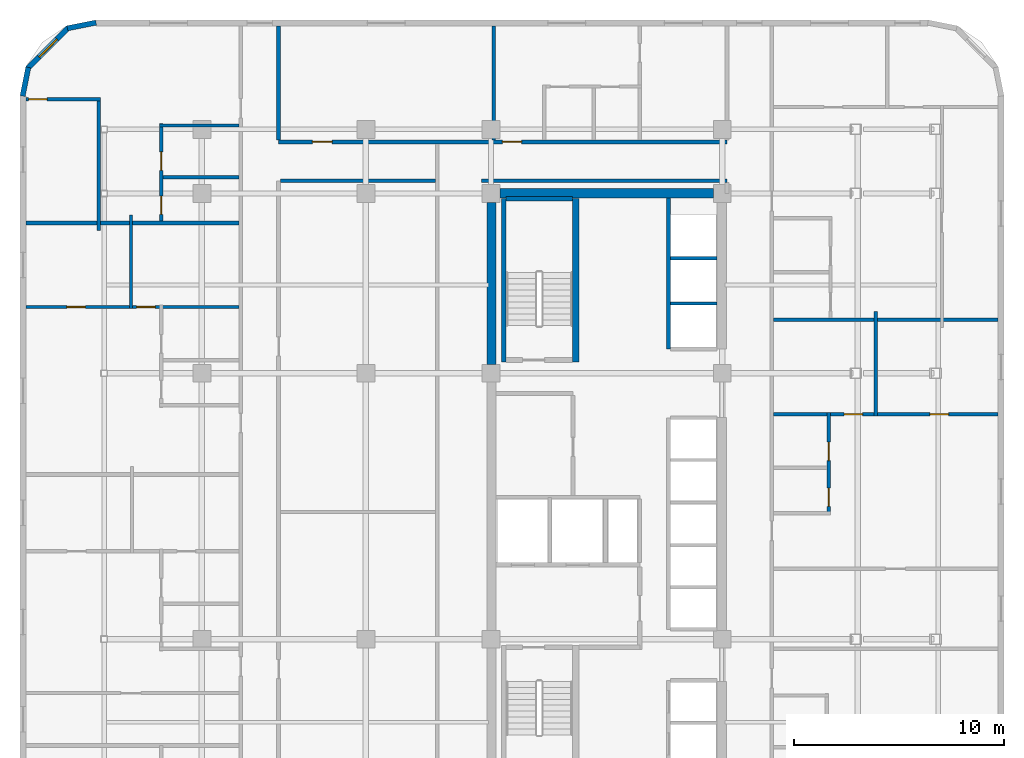
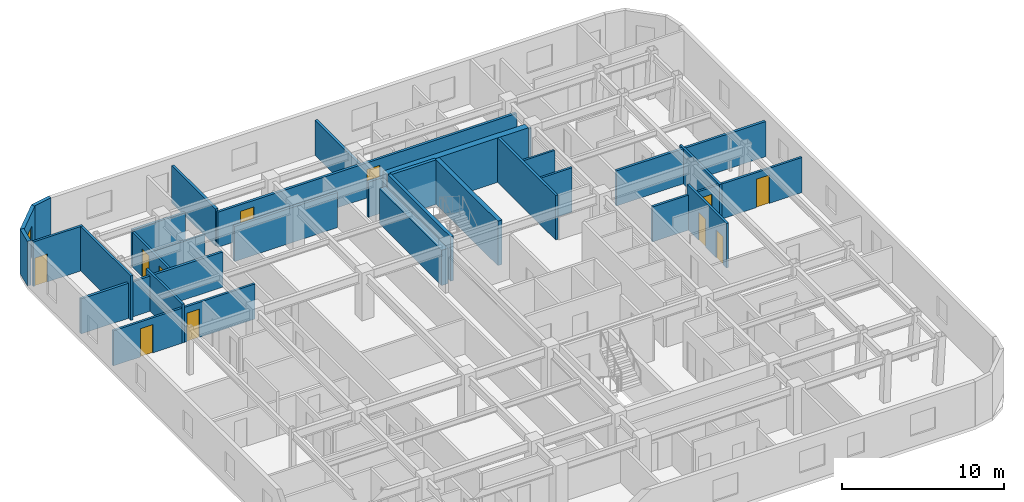
# One storey, part 9 of 12: 28 walls, 11 doors, 1 window, 12 openings.
"""IFC4 building model written with IfcOpenShell, lengths in metres."""

from ifc_helpers import new_model, si_unit, direction, frame, frame_2d, origin, place, context, subcontext, project, spatial, rectangle, extrude, material, layer, layer_set, type_object, element, fill, save


model = new_model("IFC4")

# Units and contexts
model_context = context("Model", 3, precision=1e-05, world=origin(), true_north=direction((0.0, 1.0)))
body_context = subcontext(model_context, "Body", "Model", "MODEL_VIEW")
ifc_project = project(units=[si_unit("LENGTHUNIT", "METRE"), si_unit("AREAUNIT", "SQUARE_METRE"), si_unit("VOLUMEUNIT", "CUBIC_METRE"), si_unit("PLANEANGLEUNIT", "RADIAN"), si_unit("MASSUNIT", "GRAM", prefix="KILO")], contexts=[model_context])

# Site, building, storey
site_placement = place(None, origin())
site = spatial("IfcSite", under=ifc_project, at=site_placement, CompositionType="ELEMENT")
building_placement = place(site_placement, origin())
building = spatial("IfcBuilding", under=site, at=building_placement, Name="Ochreholt Gables", CompositionType="ELEMENT")
storey_placement = place(building_placement, frame((0.0, 0.0, 45.60009765625)))
storey = spatial("IfcBuildingStorey", under=building, at=storey_placement, Name="L11", CompositionType="ELEMENT", Elevation=45.60009765625)

# Walls
ifc_material_1 = material(Name="Concrete 60 MPa", Category="concrete")
ifc_layer_1 = layer(ifc_material_1, 0.449951171875, Name="Concrete 60 MPa")
ifc_layer_set_1 = layer_set([ifc_layer_1], Name="Concrete 60 MPa")
wall_type_1 = type_object("IfcWallType", Name="WALL-CSW-450", PredefinedType="SHEAR", material=ifc_layer_set_1)
wall_1_placement = place(storey_placement, frame((24.22509765625, 30.625, 0.0), z_axis=(0.0, 0.0, 1.0), x_axis=(0.0, 1.0, 0.0)))
element("IfcWall", 1, at=wall_1_placement, inside=storey, type_object=wall_type_1, Name="L11 Core West Shear Wall WN", PredefinedType="SHEAR", context=body_context, shape_type="SweptSolid", body=[
    extrude(rectangle(XDim=7.699951171875, YDim=0.449951171875, at=frame_2d((3.85009765625, 0.0))), origin(), (0.0, 0.0, 1.0), 2.6669921875),
])
wall_2_placement = place(storey_placement, frame((24.625, 38.75, 0.0), z_axis=(0.0, 0.0, 1.0), x_axis=(1.0, 0.0, 0.0)))
element("IfcWall", 2, at=wall_2_placement, inside=storey, type_object=wall_type_1, Name="L11 Core North Shear Wall", PredefinedType="SHEAR", context=body_context, shape_type="SweptSolid", body=[
    extrude(rectangle(XDim=10.14990234375, YDim=0.449951171875, at=frame_2d((5.074951171875, 0.0))), origin(), (0.0, 0.0, 1.0), 3.35986328125),
])
ifc_material_2 = material(Name="Precast concrete 40 MPa", Category="concrete")
ifc_layer_2 = layer(ifc_material_2, 0.25, Name="Precast concrete 40 MPa")
ifc_layer_set_2 = layer_set([ifc_layer_2], Name="Precast concrete 40 MPa")
wall_type_2 = type_object("IfcWallType", Name="WALL-EXT-CNR", PredefinedType="SOLIDWALL", material=ifc_layer_set_2)
wall_3_placement = place(storey_placement, frame((5.41650390625, 46.875732421875, 0.0), z_axis=(0.0, 0.0, 1.0), x_axis=(-0.980809899341, -0.19496651342, 0.0)))
element("IfcWall", 3, at=wall_3_placement, inside=storey, type_object=wall_type_2, Name="L11 Rounded Corner Wall NW-1", PredefinedType="SOLIDWALL", context=body_context, shape_type="SweptSolid", body=[
    extrude(rectangle(XDim=1.388671875, YDim=0.25, at=frame_2d((0.6943359375, 0.0))), origin(), (0.0, 0.0, 1.0), 3.35986328125),
])

# Wall, opening, window
wall_4_placement = place(storey_placement, frame((4.10498046875, 46.632080078125, 0.0), z_axis=(0.0, 0.0, 1.0), x_axis=(-0.707106781187, -0.707106781187, 0.0)))
wall_4 = element("IfcWall", 4, at=wall_4_placement, inside=storey, type_object=wall_type_2, Name="L11 Rounded Corner Wall NW-2", PredefinedType="SOLIDWALL", context=body_context, shape_type="SweptSolid", body=[
    extrude(rectangle(XDim=2.7392578125, YDim=0.25, at=frame_2d((1.36962890625, 0.0))), origin(), (0.0, 0.0, 1.0), 3.35986328125),
])
opening_1_placement = place(wall_4_placement, frame((0.769775390625, 0.0, 0.85009765625)))
opening_1 = element("IfcOpeningElement", 5, at=opening_1_placement, cuts=wall_4, Name="Opening WN-3", PredefinedType="OPENING", context=body_context, shape_type="SweptSolid", body=[
    extrude(rectangle(XDim=1.199951171875, YDim=1.5, at=frame_2d((0.60009765625, 0.75))), frame((0.0, 0.135009765625, 0.0), z_axis=(0.0, -1.0, 0.0), x_axis=(1.0, 0.0, 0.0)), (0.0, 0.0, 1.0), 0.27001953125),
])
ifc_material_3 = material(Name="Triple-Glazed Thermally Broken Aluminium Window", Category="aluminium")
window_type = type_object("IfcWindowType", Name="WIN-RES-1200", PartitioningType="SINGLE_PANEL", PredefinedType="WINDOW", material=ifc_material_3)
window_placement = place(opening_1_placement, origin())
window = element("IfcWindow", 6, at=window_placement, inside=storey, type_object=window_type, Name="L11 Corner Bedroom Window NW", OverallHeight=1.5, OverallWidth=1.199951171875, PartitioningType="SINGLE_PANEL", PredefinedType="WINDOW", context=body_context, shape_type="SweptSolid", body=[
    extrude(rectangle(XDim=1.199951171875, YDim=1.5, at=frame_2d((0.60009765625, 0.75))), frame((0.0, 0.030029296875, 0.0), z_axis=(0.0, -1.0, 0.0), x_axis=(1.0, 0.0, 0.0)), (0.0, 0.0, 1.0), 0.06005859375),
])
fill(opening_1, window)

# Wall
wall_5_placement = place(storey_placement, frame((2.195068359375, 44.74560546875, 0.0), z_axis=(0.0, 0.0, 1.0), x_axis=(-0.19496651342, -0.980809899341, 0.0)))
element("IfcWall", 7, at=wall_5_placement, inside=storey, type_object=wall_type_2, Name="L11 Rounded Corner Wall NW-3", PredefinedType="SOLIDWALL", context=body_context, shape_type="SweptSolid", body=[
    extrude(rectangle(XDim=1.388671875, YDim=0.25, at=frame_2d((0.6943359375, 0.0))), origin(), (0.0, 0.0, 1.0), 3.35986328125),
])

# Wall, openings, doors
ifc_material_4 = material(Name="Fire-Rated Gypsum Acoustic Partition", Category="gypsum")
ifc_layer_3 = layer(ifc_material_4, 0.179931640625, Name="Fire-Rated Gypsum Acoustic Partition")
ifc_layer_set_3 = layer_set([ifc_layer_3], Name="Fire-Rated Gypsum Acoustic Partition")
wall_type_3 = type_object("IfcWallType", Name="WALL-INT-CR180", PredefinedType="STANDARD", material=ifc_layer_set_3)
wall_6_placement = place(storey_placement, frame((14.10009765625, 41.199951171875, 0.0), z_axis=(0.0, 0.0, 1.0), x_axis=(1.0, 0.0, 0.0)))
wall_6 = element("IfcWall", 8, at=wall_6_placement, inside=storey, type_object=wall_type_3, Name="L11 Interior Wall WI-C1N-L11", PredefinedType="STANDARD", context=body_context, shape_type="SweptSolid", body=[
    extrude(rectangle(XDim=21.31982421875, YDim=0.179931640625, at=frame_2d((10.659912109375, 0.0))), origin(), (0.0, 0.0, 1.0), 2.64892578125),
])
opening_2_placement = place(wall_6_placement, frame((1.60009765625, 0.0, 0.0)))
opening_2 = element("IfcOpeningElement", 9, at=opening_2_placement, cuts=wall_6, Name="Opening D-GN1", PredefinedType="OPENING", context=body_context, shape_type="SweptSolid", body=[
    extrude(rectangle(XDim=0.949951171875, YDim=2.14990234375, at=frame_2d((0.47509765625, 1.074951171875))), frame((0.0, 0.099853515625, 0.0), z_axis=(0.0, -1.0, 0.0), x_axis=(1.0, 0.0, 0.0)), (0.0, 0.0, 1.0), 0.199951171875),
])
opening_3_placement = place(wall_6_placement, frame((10.6435546875, 0.0, 0.0)))
opening_3 = element("IfcOpeningElement", 10, at=opening_3_placement, cuts=wall_6, Name="Opening D-UN1", PredefinedType="OPENING", context=body_context, shape_type="SweptSolid", body=[
    extrude(rectangle(XDim=0.919921875, YDim=2.14990234375, at=frame_2d((0.4599609375, 1.074951171875))), frame((0.0, 0.099853515625, 0.0), z_axis=(0.0, -1.0, 0.0), x_axis=(1.0, 0.0, 0.0)), (0.0, 0.0, 1.0), 0.199951171875),
])
ifc_material_5 = material(Name="Engineered Oak Timber", Category="wood")
door_type_1 = type_object("IfcDoorType", Name="DR-INT-GEN950", OperationType="NOTDEFINED", PredefinedType="DOOR", material=ifc_material_5)
door_1_placement = place(opening_2_placement, origin())
door_1 = element("IfcDoor", 11, at=door_1_placement, inside=storey, type_object=door_type_1, Name="L11 Door D-C1NL-L11", OperationType="SINGLE_SWING_RIGHT", OverallHeight=2.14990234375, OverallWidth=0.949951171875, PredefinedType="DOOR", context=body_context, shape_type="SweptSolid", body=[
    extrude(rectangle(XDim=0.949951171875, YDim=2.14990234375, at=frame_2d((0.47509765625, 1.074951171875))), frame((0.0, 0.02490234375, 0.0), z_axis=(0.0, -1.0, 0.0), x_axis=(1.0, 0.0, 0.0)), (0.0, 0.0, 1.0), 0.050048828125),
])
fill(opening_2, door_1)
door_type_2 = type_object("IfcDoorType", Name="DR-INT-UNT920", OperationType="NOTDEFINED", PredefinedType="DOOR", material=ifc_material_5)
door_2_placement = place(opening_3_placement, origin())
door_2 = element("IfcDoor", 12, at=door_2_placement, inside=storey, type_object=door_type_2, Name="L11 Door D-U-L11N1-ENT", OperationType="SINGLE_SWING_RIGHT", OverallHeight=2.14990234375, OverallWidth=0.919921875, PredefinedType="DOOR", context=body_context, shape_type="SweptSolid", body=[
    extrude(rectangle(XDim=0.919921875, YDim=2.14990234375, at=frame_2d((0.4599609375, 1.074951171875))), frame((0.0, 0.02490234375, 0.0), z_axis=(0.0, -1.0, 0.0), x_axis=(1.0, 0.0, 0.0)), (0.0, 0.0, 1.0), 0.050048828125),
])
fill(opening_3, door_2)

# Walls
wall_7_placement = place(storey_placement, frame((23.75, 39.35009765625, 0.0), z_axis=(0.0, 0.0, 1.0), x_axis=(1.0, 0.0, 0.0)))
element("IfcWall", 13, at=wall_7_placement, inside=storey, type_object=wall_type_3, Name="L11 Interior Wall WI-C1N2-L11", PredefinedType="STANDARD", context=body_context, shape_type="SweptSolid", body=[
    extrude(rectangle(XDim=11.669921875, YDim=0.179931640625, at=frame_2d((5.8349609375, 0.0))), origin(), (0.0, 0.0, 1.0), 2.64892578125),
])
wall_8_placement = place(storey_placement, frame((14.18994140625, 39.35009765625, 0.0), z_axis=(0.0, 0.0, 1.0), x_axis=(1.0, 0.0, 0.0)))
element("IfcWall", 14, at=wall_8_placement, inside=storey, type_object=wall_type_3, Name="L11 Interior Wall WI-C1N2W-L11", PredefinedType="STANDARD", context=body_context, shape_type="SweptSolid", body=[
    extrude(rectangle(XDim=7.3701171875, YDim=0.179931640625, at=frame_2d((3.68505859375, 0.0))), origin(), (0.0, 0.0, 1.0), 2.64892578125),
])
ifc_material_6 = material(Name="Double-Stud Acoustic Demising Wall", Category="gypsum")
ifc_layer_4 = layer(ifc_material_6, 0.179931640625, Name="Double-Stud Acoustic Demising Wall")
ifc_layer_set_4 = layer_set([ifc_layer_4], Name="Double-Stud Acoustic Demising Wall")
wall_type_4 = type_object("IfcWallType", Name="WALL-INT-DM180", PredefinedType="PARTITIONING", material=ifc_layer_set_4)
wall_9_placement = place(storey_placement, frame((14.10009765625, 41.2900390625, 0.0), z_axis=(0.0, 0.0, 1.0), x_axis=(0.0, 1.0, 0.0)))
element("IfcWall", 15, at=wall_9_placement, inside=storey, type_object=wall_type_4, Name="L11 Interior Wall WI-C1WNI-L11", PredefinedType="PARTITIONING", context=body_context, shape_type="SweptSolid", body=[
    extrude(rectangle(XDim=5.419921875, YDim=0.179931640625, at=frame_2d((2.7099609375, 0.0))), origin(), (0.0, 0.0, 1.0), 2.808837890625),
])
wall_10_placement = place(storey_placement, frame((37.639892578125, 32.739990234375, 0.0), z_axis=(0.0, 0.0, 1.0), x_axis=(1.0, 0.0, 0.0)))
element("IfcWall", 16, at=wall_10_placement, inside=storey, type_object=wall_type_4, Name="L11 Interior Wall WI-UDE3-L11", PredefinedType="PARTITIONING", context=body_context, shape_type="SweptSolid", body=[
    extrude(rectangle(XDim=10.670166015625, YDim=0.179931640625, at=frame_2d((5.3349609375, 0.0))), origin(), (0.0, 0.0, 1.0), 2.64892578125),
])
wall_11_placement = place(storey_placement, frame((2.090087890625, 37.340087890625, 0.0), z_axis=(0.0, 0.0, 1.0), x_axis=(1.0, 0.0, 0.0)))
element("IfcWall", 17, at=wall_11_placement, inside=storey, type_object=wall_type_4, Name="L11 Interior Wall WI-UDW4-L11", PredefinedType="PARTITIONING", context=body_context, shape_type="SweptSolid", body=[
    extrude(rectangle(XDim=10.119873046875, YDim=0.179931640625, at=frame_2d((5.06005859375, 0.0))), origin(), (0.0, 0.0, 1.0), 2.64892578125),
])
wall_12_placement = place(storey_placement, frame((24.33349609375, 41.2900390625, 0.0), z_axis=(0.0, 0.0, 1.0), x_axis=(0.0, 1.0, 0.0)))
element("IfcWall", 18, at=wall_12_placement, inside=storey, type_object=wall_type_4, Name="L11 Interior Wall WI-UDN1-L11", PredefinedType="PARTITIONING", context=body_context, shape_type="SweptSolid", body=[
    extrude(rectangle(XDim=5.419921875, YDim=0.179931640625, at=frame_2d((2.7099609375, 0.0))), origin(), (0.0, 0.0, 1.0), 2.64892578125),
])

# Wall, openings, doors
ifc_material_7 = material(Name="Moisture-Resistant Plumbing Chase Wall", Category="gypsum")
ifc_layer_5 = layer(ifc_material_7, 0.159912109375, Name="Moisture-Resistant Plumbing Chase Wall")
ifc_layer_set_5 = layer_set([ifc_layer_5], Name="Moisture-Resistant Plumbing Chase Wall")
wall_type_5 = type_object("IfcWallType", Name="WALL-INT-PL160", PredefinedType="PLUMBINGWALL", material=ifc_layer_set_5)
wall_13_placement = place(storey_placement, frame((40.27197265625, 23.452880859375, 0.0), z_axis=(0.0, 0.0, 1.0), x_axis=(0.0, 1.0, 0.0)))
wall_13 = element("IfcWall", 19, at=wall_13_placement, inside=storey, type_object=wall_type_5, Name="L11 Interior Wall WU-L11E2-WX", PredefinedType="PLUMBINGWALL", context=body_context, shape_type="SweptSolid", body=[
    extrude(rectangle(XDim=4.88720703125, YDim=0.159912109375, at=frame_2d((2.443603515625, 0.0))), origin(), (0.0, 0.0, 1.0), 3.35986328125),
])
opening_4_placement = place(wall_13_placement, frame((0.419921875, 0.0, 0.0)))
opening_4 = element("IfcOpeningElement", 20, at=opening_4_placement, cuts=wall_13, Name="Opening D-BT1", PredefinedType="OPENING", context=body_context, shape_type="SweptSolid", body=[
    extrude(rectangle(XDim=0.860107421875, YDim=2.1201171875, at=frame_2d((0.43017578125, 1.06005859375))), frame((0.0, 0.08984375, 0.0), z_axis=(0.0, -1.0, 0.0), x_axis=(1.0, 0.0, 0.0)), (0.0, 0.0, 1.0), 0.179931640625),
])
opening_5_placement = place(wall_13_placement, frame((2.585205078125, 0.0, 0.0)))
opening_5 = element("IfcOpeningElement", 21, at=opening_5_placement, cuts=wall_13, Name="Opening D-GN2", PredefinedType="OPENING", context=body_context, shape_type="SweptSolid", body=[
    extrude(rectangle(XDim=0.8798828125, YDim=2.1201171875, at=frame_2d((0.43994140625, 1.06005859375))), frame((0.0, 0.08984375, 0.0), z_axis=(0.0, -1.0, 0.0), x_axis=(1.0, 0.0, 0.0)), (0.0, 0.0, 1.0), 0.179931640625),
])
door_type_3 = type_object("IfcDoorType", Name="DR-INT-BTH860", OperationType="NOTDEFINED", PredefinedType="DOOR", material=ifc_material_5)
door_3_placement = place(opening_4_placement, origin())
door_3 = element("IfcDoor", 22, at=door_3_placement, inside=storey, type_object=door_type_3, Name="L11 Door D-U-L11E2-BTH", OperationType="SINGLE_SWING_RIGHT", OverallHeight=2.1201171875, OverallWidth=0.860107421875, PredefinedType="DOOR", context=body_context, shape_type="SweptSolid", body=[
    extrude(rectangle(XDim=0.860107421875, YDim=2.1201171875, at=frame_2d((0.43017578125, 1.06005859375))), frame((0.0, 0.02490234375, 0.0), z_axis=(0.0, -1.0, 0.0), x_axis=(1.0, 0.0, 0.0)), (0.0, 0.0, 1.0), 0.050048828125),
])
fill(opening_4, door_3)
door_type_4 = type_object("IfcDoorType", Name="DR-INT-GEN880", OperationType="NOTDEFINED", PredefinedType="DOOR", material=ifc_material_5)
door_4_placement = place(opening_5_placement, origin())
door_4 = element("IfcDoor", 23, at=door_4_placement, inside=storey, type_object=door_type_4, Name="L11 Door D-U-L11E2-KIT", OperationType="SINGLE_SWING_LEFT", OverallHeight=2.1201171875, OverallWidth=0.8798828125, PredefinedType="DOOR", context=body_context, shape_type="SweptSolid", body=[
    extrude(rectangle(XDim=0.8798828125, YDim=2.1201171875, at=frame_2d((0.43994140625, 1.06005859375))), frame((0.0, 0.02490234375, 0.0), z_axis=(0.0, -1.0, 0.0), x_axis=(1.0, 0.0, 0.0)), (0.0, 0.0, 1.0), 0.050048828125),
])
fill(opening_5, door_4)

# Wall
wall_14_placement = place(storey_placement, frame((8.429931640625, 41.97998046875, 0.0), z_axis=(0.0, 0.0, 1.0), x_axis=(1.0, 0.0, 0.0)))
element("IfcWall", 24, at=wall_14_placement, inside=storey, type_object=wall_type_5, Name="L11 Interior Wall WU-L11W4-WYN", PredefinedType="PLUMBINGWALL", context=body_context, shape_type="SweptSolid", body=[
    extrude(rectangle(XDim=3.780029296875, YDim=0.159912109375, at=frame_2d((1.89013671875, 0.0))), origin(), (0.0, 0.0, 1.0), 2.808837890625),
])

# Wall, openings, doors
wall_15_placement = place(storey_placement, frame((8.510009765625, 37.429931640625, 0.0), z_axis=(0.0, 0.0, 1.0), x_axis=(0.0, 1.0, 0.0)))
wall_15 = element("IfcWall", 25, at=wall_15_placement, inside=storey, type_object=wall_type_5, Name="L11 Interior Wall WU-L11W4-WX", PredefinedType="PLUMBINGWALL", context=body_context, shape_type="SweptSolid", body=[
    extrude(rectangle(XDim=4.64013671875, YDim=0.159912109375, at=frame_2d((2.320068359375, 0.0))), origin(), (0.0, 0.0, 1.0), 2.64892578125),
])
opening_6_placement = place(wall_15_placement, frame((0.330078125, 0.0, 0.0)))
opening_6 = element("IfcOpeningElement", 26, at=opening_6_placement, cuts=wall_15, Name="Opening D-BT1", PredefinedType="OPENING", context=body_context, shape_type="SweptSolid", body=[
    extrude(rectangle(XDim=0.860107421875, YDim=2.1201171875, at=frame_2d((0.43017578125, 1.06005859375))), frame((0.0, 0.08984375, 0.0), z_axis=(0.0, -1.0, 0.0), x_axis=(1.0, 0.0, 0.0)), (0.0, 0.0, 1.0), 0.179931640625),
])
opening_7_placement = place(wall_15_placement, frame((2.423095703125, 0.0, 0.0)))
opening_7 = element("IfcOpeningElement", 27, at=opening_7_placement, cuts=wall_15, Name="Opening D-GN2", PredefinedType="OPENING", context=body_context, shape_type="SweptSolid", body=[
    extrude(rectangle(XDim=0.8798828125, YDim=2.1201171875, at=frame_2d((0.43994140625, 1.06005859375))), frame((0.0, 0.08984375, 0.0), z_axis=(0.0, -1.0, 0.0), x_axis=(1.0, 0.0, 0.0)), (0.0, 0.0, 1.0), 0.179931640625),
])
door_5_placement = place(opening_6_placement, origin())
door_5 = element("IfcDoor", 28, at=door_5_placement, inside=storey, type_object=door_type_3, Name="L11 Door D-U-L11W4-BTH", OperationType="SINGLE_SWING_LEFT", OverallHeight=2.1201171875, OverallWidth=0.860107421875, PredefinedType="DOOR", context=body_context, shape_type="SweptSolid", body=[
    extrude(rectangle(XDim=0.860107421875, YDim=2.1201171875, at=frame_2d((0.43017578125, 1.06005859375))), frame((0.0, 0.02490234375, 0.0), z_axis=(0.0, -1.0, 0.0), x_axis=(1.0, 0.0, 0.0)), (0.0, 0.0, 1.0), 0.050048828125),
])
fill(opening_6, door_5)
door_6_placement = place(opening_7_placement, origin())
door_6 = element("IfcDoor", 29, at=door_6_placement, inside=storey, type_object=door_type_4, Name="L11 Door D-U-L11W4-KIT", OperationType="SINGLE_SWING_RIGHT", OverallHeight=2.1201171875, OverallWidth=0.8798828125, PredefinedType="DOOR", context=body_context, shape_type="SweptSolid", body=[
    extrude(rectangle(XDim=0.8798828125, YDim=2.1201171875, at=frame_2d((0.43994140625, 1.06005859375))), frame((0.0, 0.02490234375, 0.0), z_axis=(0.0, -1.0, 0.0), x_axis=(1.0, 0.0, 0.0)), (0.0, 0.0, 1.0), 0.050048828125),
])
fill(opening_7, door_6)

# Wall
wall_16_placement = place(storey_placement, frame((8.590087890625, 39.52294921875, 0.0), z_axis=(0.0, 0.0, 1.0), x_axis=(1.0, 0.0, 0.0)))
element("IfcWall", 30, at=wall_16_placement, inside=storey, type_object=wall_type_5, Name="L11 Interior Wall WU-L11W4-WM", PredefinedType="PLUMBINGWALL", context=body_context, shape_type="SweptSolid", body=[
    extrude(rectangle(XDim=3.619873046875, YDim=0.159912109375, at=frame_2d((1.81005859375, 0.0))), origin(), (0.0, 0.0, 1.0), 2.64892578125),
])

# Wall, openings, doors
ifc_material_8 = material(Name="Gypsum Acoustic Stud Partition", Category="gypsum")
ifc_layer_6 = layer(ifc_material_8, 0.159912109375, Name="Gypsum Acoustic Stud Partition")
ifc_layer_set_6 = layer_set([ifc_layer_6], Name="Gypsum Acoustic Stud Partition")
wall_type_6 = type_object("IfcWallType", Name="WALL-INT-PT160", PredefinedType="PARTITIONING", material=ifc_layer_set_6)
wall_17_placement = place(storey_placement, frame((37.639892578125, 28.25, 0.0), z_axis=(0.0, 0.0, 1.0), x_axis=(1.0, 0.0, 0.0)))
wall_17 = element("IfcWall", 31, at=wall_17_placement, inside=storey, type_object=wall_type_6, Name="L11 Interior Wall WU-L11E2-MN", PredefinedType="PARTITIONING", context=body_context, shape_type="SweptSolid", body=[
    extrude(rectangle(XDim=10.670166015625, YDim=0.159912109375, at=frame_2d((5.3349609375, 0.0))), origin(), (0.0, 0.0, 1.0), 2.64892578125),
])
opening_8_placement = place(wall_17_placement, frame((3.353271484375, 0.0, 0.0)))
opening_8 = element("IfcOpeningElement", 32, at=opening_8_placement, cuts=wall_17, Name="Opening D-GN2", PredefinedType="OPENING", context=body_context, shape_type="SweptSolid", body=[
    extrude(rectangle(XDim=0.8798828125, YDim=2.1201171875, at=frame_2d((0.43994140625, 1.06005859375))), frame((0.0, 0.08984375, 0.0), z_axis=(0.0, -1.0, 0.0), x_axis=(1.0, 0.0, 0.0)), (0.0, 0.0, 1.0), 0.179931640625),
])
opening_9_placement = place(wall_17_placement, frame((7.43212890625, 0.0, 0.0)))
opening_9 = element("IfcOpeningElement", 33, at=opening_9_placement, cuts=wall_17, Name="Opening D-BD1", PredefinedType="OPENING", context=body_context, shape_type="SweptSolid", body=[
    extrude(rectangle(XDim=0.89990234375, YDim=2.139892578125, at=frame_2d((0.449951171875, 1.06982421875))), frame((0.0, 0.08984375, 0.0), z_axis=(0.0, -1.0, 0.0), x_axis=(1.0, 0.0, 0.0)), (0.0, 0.0, 1.0), 0.179931640625),
])
door_type_5 = type_object("IfcDoorType", Name="DR-INT-BED900", OperationType="NOTDEFINED", PredefinedType="DOOR", material=ifc_material_5)
door_7_placement = place(opening_9_placement, origin())
door_7 = element("IfcDoor", 34, at=door_7_placement, inside=storey, type_object=door_type_5, Name="L11 Door D-U-L11E2-BD1", OperationType="SINGLE_SWING_RIGHT", OverallHeight=2.139892578125, OverallWidth=0.89990234375, PredefinedType="DOOR", context=body_context, shape_type="SweptSolid", body=[
    extrude(rectangle(XDim=0.89990234375, YDim=2.139892578125, at=frame_2d((0.449951171875, 1.06982421875))), frame((0.0, 0.02490234375, 0.0), z_axis=(0.0, -1.0, 0.0), x_axis=(1.0, 0.0, 0.0)), (0.0, 0.0, 1.0), 0.050048828125),
])
fill(opening_9, door_7)
door_8_placement = place(opening_8_placement, origin())
door_8 = element("IfcDoor", 35, at=door_8_placement, inside=storey, type_object=door_type_4, Name="L11 Door D-U-L11E2-STD", OperationType="SINGLE_SWING_LEFT", OverallHeight=2.1201171875, OverallWidth=0.8798828125, PredefinedType="DOOR", context=body_context, shape_type="SweptSolid", body=[
    extrude(rectangle(XDim=0.8798828125, YDim=2.1201171875, at=frame_2d((0.43994140625, 1.06005859375))), frame((0.0, 0.02490234375, 0.0), z_axis=(0.0, -1.0, 0.0), x_axis=(1.0, 0.0, 0.0)), (0.0, 0.0, 1.0), 0.050048828125),
])
fill(opening_8, door_8)

# Wall
wall_18_placement = place(storey_placement, frame((42.50439453125, 28.169921875, 0.0), z_axis=(0.0, 0.0, 1.0), x_axis=(0.0, 1.0, 0.0)))
element("IfcWall", 36, at=wall_18_placement, inside=storey, type_object=wall_type_6, Name="L11 Interior Wall WU-L11E2-BSD", PredefinedType="PARTITIONING", context=body_context, shape_type="SweptSolid", body=[
    extrude(rectangle(XDim=4.9599609375, YDim=0.159912109375, at=frame_2d((2.47998046875, 0.0))), origin(), (0.0, 0.0, 1.0), 2.64892578125),
])

# Wall, openings, doors
wall_19_placement = place(storey_placement, frame((2.090087890625, 33.35009765625, 0.0), z_axis=(0.0, 0.0, 1.0), x_axis=(1.0, 0.0, 0.0)))
wall_19 = element("IfcWall", 37, at=wall_19_placement, inside=storey, type_object=wall_type_6, Name="L11 Interior Wall WU-L11W3-MN", PredefinedType="PARTITIONING", context=body_context, shape_type="SweptSolid", body=[
    extrude(rectangle(XDim=10.119873046875, YDim=0.159912109375, at=frame_2d((5.06005859375, 0.0))), origin(), (0.0, 0.0, 1.0), 2.64892578125),
])
opening_10_placement = place(wall_19_placement, frame((1.93994140625, 0.0, 0.0)))
opening_10 = element("IfcOpeningElement", 38, at=opening_10_placement, cuts=wall_19, Name="Opening D-BD2", PredefinedType="OPENING", context=body_context, shape_type="SweptSolid", body=[
    extrude(rectangle(XDim=0.8798828125, YDim=2.139892578125, at=frame_2d((0.43994140625, 1.06982421875))), frame((0.0, 0.08984375, 0.0), z_axis=(0.0, -1.0, 0.0), x_axis=(1.0, 0.0, 0.0)), (0.0, 0.0, 1.0), 0.179931640625),
])
opening_11_placement = place(wall_19_placement, frame((5.260009765625, 0.0, 0.0)))
opening_11 = element("IfcOpeningElement", 39, at=opening_11_placement, cuts=wall_19, Name="Opening D-BD2", PredefinedType="OPENING", context=body_context, shape_type="SweptSolid", body=[
    extrude(rectangle(XDim=0.8798828125, YDim=2.139892578125, at=frame_2d((0.43994140625, 1.06982421875))), frame((0.0, 0.08984375, 0.0), z_axis=(0.0, -1.0, 0.0), x_axis=(1.0, 0.0, 0.0)), (0.0, 0.0, 1.0), 0.179931640625),
])
door_type_6 = type_object("IfcDoorType", Name="DR-INT-BED880", OperationType="NOTDEFINED", PredefinedType="DOOR", material=ifc_material_5)
door_9_placement = place(opening_10_placement, origin())
door_9 = element("IfcDoor", 40, at=door_9_placement, inside=storey, type_object=door_type_6, Name="L11 Door D-U-L11W3-BD1", OperationType="SINGLE_SWING_LEFT", OverallHeight=2.139892578125, OverallWidth=0.8798828125, PredefinedType="DOOR", context=body_context, shape_type="SweptSolid", body=[
    extrude(rectangle(XDim=0.8798828125, YDim=2.139892578125, at=frame_2d((0.43994140625, 1.06982421875))), frame((0.0, 0.02490234375, 0.0), z_axis=(0.0, -1.0, 0.0), x_axis=(1.0, 0.0, 0.0)), (0.0, 0.0, 1.0), 0.050048828125),
])
fill(opening_10, door_9)
door_10_placement = place(opening_11_placement, origin())
door_10 = element("IfcDoor", 41, at=door_10_placement, inside=storey, type_object=door_type_6, Name="L11 Door D-U-L11W3-BD2", OperationType="SINGLE_SWING_RIGHT", OverallHeight=2.139892578125, OverallWidth=0.8798828125, PredefinedType="DOOR", context=body_context, shape_type="SweptSolid", body=[
    extrude(rectangle(XDim=0.8798828125, YDim=2.139892578125, at=frame_2d((0.43994140625, 1.06982421875))), frame((0.0, 0.02490234375, 0.0), z_axis=(0.0, -1.0, 0.0), x_axis=(1.0, 0.0, 0.0)), (0.0, 0.0, 1.0), 0.050048828125),
])
fill(opening_11, door_10)

# Walls
wall_20_placement = place(storey_placement, frame((7.080078125, 33.27001953125, 0.0), z_axis=(0.0, 0.0, 1.0), x_axis=(0.0, 1.0, 0.0)))
element("IfcWall", 42, at=wall_20_placement, inside=storey, type_object=wall_type_6, Name="L11 Interior Wall WU-L11W3-BSD", PredefinedType="PARTITIONING", context=body_context, shape_type="SweptSolid", body=[
    extrude(rectangle(XDim=4.4599609375, YDim=0.159912109375, at=frame_2d((2.22998046875, 0.0))), origin(), (0.0, 0.0, 1.0), 2.931884765625),
])
wall_21_placement = place(storey_placement, frame((5.550048828125, 36.97998046875, 0.0), z_axis=(0.0, 0.0, 1.0), x_axis=(0.0, 1.0, 0.0)))
element("IfcWall", 43, at=wall_21_placement, inside=storey, type_object=wall_type_6, Name="L11 Interior Wall WU-L11W4-STW", PredefinedType="PARTITIONING", context=body_context, shape_type="SweptSolid", body=[
    extrude(rectangle(XDim=6.25, YDim=0.159912109375, at=frame_2d((3.125, 0.0))), origin(), (0.0, 0.0, 1.0), 3.35986328125),
])

# Wall, opening, door
wall_22_placement = place(storey_placement, frame((2.090087890625, 43.22998046875, 0.0), z_axis=(0.0, 0.0, 1.0), x_axis=(1.0, 0.0, 0.0)))
wall_22 = element("IfcWall", 44, at=wall_22_placement, inside=storey, type_object=wall_type_6, Name="L11 Interior Wall WU-L11W4-STN", PredefinedType="PARTITIONING", context=body_context, shape_type="SweptSolid", body=[
    extrude(rectangle(XDim=3.539794921875, YDim=0.159912109375, at=frame_2d((1.77001953125, 0.0))), origin(), (0.0, 0.0, 1.0), 3.35986328125),
])
opening_12_placement = place(wall_22_placement, frame((0.1201171875, 0.0, 0.0)))
opening_12 = element("IfcOpeningElement", 45, at=opening_12_placement, cuts=wall_22, Name="Opening D-GN2", PredefinedType="OPENING", context=body_context, shape_type="SweptSolid", body=[
    extrude(rectangle(XDim=0.8798828125, YDim=2.1201171875, at=frame_2d((0.43994140625, 1.06005859375))), frame((0.0, 0.08984375, 0.0), z_axis=(0.0, -1.0, 0.0), x_axis=(1.0, 0.0, 0.0)), (0.0, 0.0, 1.0), 0.179931640625),
])
door_11_placement = place(opening_12_placement, frame((0.8798828125, 0.0, 0.0), z_axis=(0.0, 0.0, 1.0), x_axis=(-1.0, 0.0, 0.0)))
door_11 = element("IfcDoor", 46, at=door_11_placement, inside=storey, type_object=door_type_4, Name="L11 Door D-U-L11W4-STD", OperationType="SINGLE_SWING_LEFT", OverallHeight=2.1201171875, OverallWidth=0.8798828125, PredefinedType="DOOR", context=body_context, shape_type="SweptSolid", body=[
    extrude(rectangle(XDim=0.8798828125, YDim=2.1201171875, at=frame_2d((0.43994140625, 1.06005859375))), frame((0.0, 0.02490234375, 0.0), z_axis=(0.0, -1.0, 0.0), x_axis=(1.0, 0.0, 0.0)), (0.0, 0.0, 1.0), 0.050048828125),
])
fill(opening_12, door_11)

# Walls
ifc_material_9 = material(Name="Gypsum Shaftliner and Steel Stud", Category="steel")
ifc_layer_7 = layer(ifc_material_9, 0.14990234375, Name="Gypsum Shaftliner and Steel Stud")
ifc_layer_set_7 = layer_set([ifc_layer_7], Name="Gypsum Shaftliner and Steel Stud")
wall_type_7 = type_object("IfcWallType", Name="WALL-INT-SH150", PredefinedType="STANDARD", material=ifc_layer_set_7)
for number, where, z_axis, x_axis, name in (
    (47, (32.739990234375, 33.52001953125, 0.0), (0.0, 0.0, 1.0), (1.0, 0.0, 0.0), "L11 Interior Wall WI-LFM-D1-L11"),
    (48, (32.739990234375, 35.669921875, 0.0), (0.0, 0.0, 1.0), (1.0, 0.0, 0.0), "L11 Interior Wall WI-LFM-D2-L11"),
):
    element("IfcWall", number, at=place(storey_placement, frame(where, z_axis=z_axis, x_axis=x_axis)), inside=storey, type_object=wall_type_7, Name=name, PredefinedType="STANDARD", context=body_context, shape_type="SweptSolid", body=[
        extrude(rectangle(XDim=2.2099609375, YDim=0.14990234375, at=frame_2d((1.10498046875, 0.0))), origin(), (0.0, 0.0, 1.0), 3.35986328125),
    ])
ifc_layer_8 = layer(ifc_material_9, 0.179931640625, Name="Gypsum Shaftliner and Steel Stud")
ifc_layer_set_8 = layer_set([ifc_layer_8], Name="Gypsum Shaftliner and Steel Stud")
wall_type_8 = type_object("IfcWallType", Name="WALL-INT-SH180", PredefinedType="STANDARD", material=ifc_layer_set_8)
wall_23_placement = place(storey_placement, frame((32.64990234375, 31.35009765625, 0.0), z_axis=(0.0, 0.0, 1.0), x_axis=(0.0, 1.0, 0.0)))
element("IfcWall", 49, at=wall_23_placement, inside=storey, type_object=wall_type_8, Name="L11 Interior Wall WI-LFM-FR-L11", PredefinedType="STANDARD", context=body_context, shape_type="SweptSolid", body=[
    extrude(rectangle(XDim=7.1748046875, YDim=0.179931640625, at=frame_2d((3.58740234375, 0.0))), origin(), (0.0, 0.0, 1.0), 3.35986328125),
])
ifc_layer_9 = layer(ifc_material_1, 0.300048828125, Name="Concrete 60 MPa")
ifc_layer_set_9 = layer_set([ifc_layer_9], Name="Concrete 60 MPa")
wall_type_9 = type_object("IfcWallType", Name="WALL-SPN-300", PredefinedType="SHEAR", material=ifc_layer_set_9)
wall_24_placement = place(storey_placement, frame((28.22998046875, 30.739990234375, 0.0), z_axis=(0.0, 0.0, 1.0), x_axis=(0.0, 1.0, 0.0)))
element("IfcWall", 50, at=wall_24_placement, inside=storey, type_object=wall_type_9, Name="L11 Core North Spine Shear Wall", PredefinedType="SHEAR", context=body_context, shape_type="SweptSolid", body=[
    extrude(rectangle(XDim=7.760009765625, YDim=0.300048828125, at=frame_2d((3.8798828125, 0.0))), origin(), (0.0, 0.0, 1.0), 3.35986328125),
])
ifc_material_10 = material(Name="Concrete 50 MPa", Category="concrete")
ifc_layer_10 = layer(ifc_material_10, 0.219970703125, Name="Concrete 50 MPa")
ifc_layer_set_10 = layer_set([ifc_layer_10], Name="Concrete 50 MPa")
wall_type_10 = type_object("IfcWallType", Name="WALL-STW-220", PredefinedType="SHEAR", material=ifc_layer_set_10)
wall_25_placement = place(storey_placement, frame((24.81005859375, 30.739990234375, 0.0), z_axis=(0.0, 0.0, 1.0), x_axis=(0.0, 1.0, 0.0)))
element("IfcWall", 51, at=wall_25_placement, inside=storey, type_object=wall_type_10, Name="L11 Exit Stair 2 West Wall", PredefinedType="SHEAR", context=body_context, shape_type="SweptSolid", body=[
    extrude(rectangle(XDim=7.760009765625, YDim=0.219970703125, at=frame_2d((3.8798828125, 0.0))), origin(), (0.0, 0.0, 1.0), 3.35986328125),
])
wall_26_placement = place(storey_placement, frame((24.919921875, 38.489990234375, 0.0), z_axis=(0.0, 0.0, 1.0), x_axis=(1.0, 0.0, 0.0)))
element("IfcWall", 52, at=wall_26_placement, inside=storey, type_object=wall_type_10, Name="L11 Exit Stair 2 North Wall", PredefinedType="SHEAR", context=body_context, shape_type="SweptSolid", body=[
    extrude(rectangle(XDim=3.16015625, YDim=0.219970703125, at=frame_2d((1.580078125, 0.0))), origin(), (0.0, 0.0, 1.0), 3.35986328125),
])

save(model, "model.ifc")
